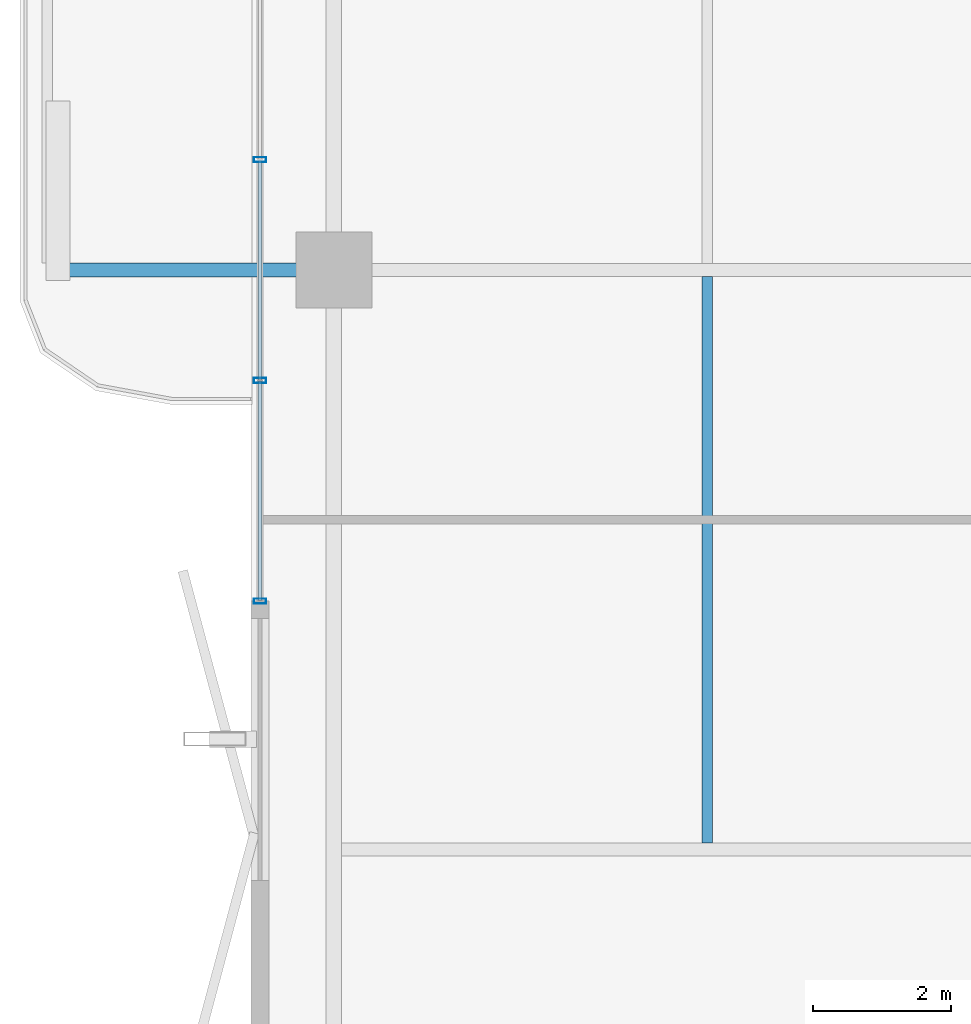
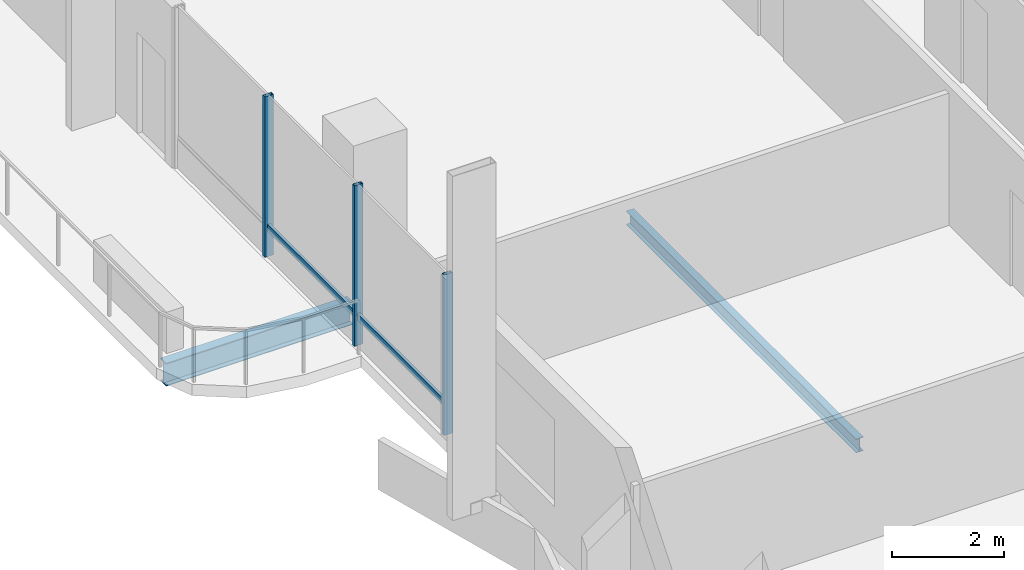
# One storey, part 4 of 24: 5 members, 2 beams, 1 element without a shape of its own.
"""IFC4 building model written with IfcOpenShell, lengths in metres."""

from ifc_helpers import new_model, si_unit, direction, frame, origin, origin_2d, place, context, subcontext, project, spatial, hollow_rectangle, i_section, extrude, material, layer, layer_set, material_profile, profile_set, type_object, element, aggregate, save


model = new_model("IFC4")

# Units and contexts
model_context = context("Model", 3, precision=1e-05, world=origin(), true_north=direction((0.0, 1.0)))
body_context = subcontext(model_context, "Body", "Model", "MODEL_VIEW")
ifc_project = project(units=[si_unit("LENGTHUNIT", "METRE"), si_unit("AREAUNIT", "SQUARE_METRE"), si_unit("VOLUMEUNIT", "CUBIC_METRE"), si_unit("PLANEANGLEUNIT", "RADIAN"), si_unit("MASSUNIT", "GRAM", prefix="KILO")], contexts=[model_context])

# Site, building, storey
site_placement = place(None, origin())
site = spatial("IfcSite", under=ifc_project, at=site_placement, CompositionType="ELEMENT")
building_placement = place(site_placement, origin())
building = spatial("IfcBuilding", under=site, at=building_placement, Name="Belovzor Exchange Tower", CompositionType="ELEMENT")
storey_placement = place(building_placement, frame((0.0, 0.0, 218.699951171875)))
storey = spatial("IfcBuildingStorey", under=building, at=storey_placement, Name="L54", CompositionType="ELEMENT", Elevation=218.699951171875)

# Beams
ifc_material_1 = material(Name="Steel S355", Category="steel")
ifc_material_profile_1 = material_profile(ifc_material_1, i_section(OverallWidth=0.199951171875, OverallDepth=0.5, WebThickness=0.01025390625, FlangeThickness=0.01611328125, at=origin_2d()))
ifc_profile_set_1 = profile_set([ifc_material_profile_1], Name="Steel S355")
beam_type_1 = type_object("IfcBeamType", Name="Planted Balcony Cantilever Beam IPE 500", PredefinedType="BEAM", material=ifc_profile_set_1)
beam_1_placement = place(storey_placement, frame((2.697021484375, 28.800048828125, -0.5), z_axis=(-1.0, 0.0, 0.0), x_axis=(0.0, -1.0, 0.0)))
element("IfcBeam", 1, at=beam_1_placement, inside=storey, type_object=beam_type_1, Name="BC-500 Planted Balcony Cantilever Beam IPE 500", PredefinedType="BEAM", context=body_context, shape_type="SweptSolid", body=[
    extrude(i_section(OverallWidth=0.199951171875, OverallDepth=0.5, WebThickness=0.01025390625, FlangeThickness=0.01611328125, at=origin_2d()), origin(), (0.0, 0.0, 1.0), 3.85009765625),
])
ifc_material_2 = material(Name="Steel S355", Category="steel")
ifc_material_profile_2 = material_profile(ifc_material_2, i_section(OverallWidth=0.14990234375, OverallDepth=0.300048828125, WebThickness=0.007080078125, FlangeThickness=0.0107421875, at=origin_2d()))
ifc_profile_set_2 = profile_set([ifc_material_profile_2], Name="Steel S355")
beam_type_2 = type_object("IfcBeamType", Name="Secondary Trim Floor Joist IPE 300", PredefinedType="BEAM", material=ifc_profile_set_2)
beam_2_placement = place(storey_placement, frame((8.4130859375, 20.4951171875, -0.39990234375), z_axis=(0.0, 1.0, 0.0), x_axis=(-1.0, 0.0, 0.0)))
element("IfcBeam", 2, at=beam_2_placement, inside=storey, type_object=beam_type_2, Name="FJ-300 Secondary Trim Floor Joist IPE 300", PredefinedType="BEAM", context=body_context, shape_type="SweptSolid", body=[
    extrude(i_section(OverallWidth=0.14990234375, OverallDepth=0.300048828125, WebThickness=0.007080078125, FlangeThickness=0.0107421875, at=origin_2d()), origin(), (0.0, 0.0, 1.0), 8.2099609375),
])

# Curtain wall, members
ifc_material_3 = material(Name="Anodised Aluminium Framing", Category="aluminium")
ifc_layer = layer(ifc_material_3, 0.179931640625)
ifc_layer_set = layer_set([ifc_layer], Name="Anodised Aluminium Framing")
curtain_wall_type = type_object("IfcCurtainWallType", Name="Recessed Loggia Low-Iron Triple-Glazed Curtain Wall", PredefinedType="NOTDEFINED", material=ifc_layer_set)
curtain_wall_placement = place(storey_placement, origin())
curtain_wall = element("IfcCurtainWall", 3, at=curtain_wall_placement, inside=storey, type_object=curtain_wall_type, Name="CW3 Recessed Loggia Low-Iron Triple-Glazed Curtain Wall L54", PredefinedType="NOTDEFINED")
ifc_material_4 = material(Name="Steel S355", Category="steel")
ifc_material_profile_3 = material_profile(ifc_material_4, hollow_rectangle(XDim=0.074951171875, YDim=0.179931640625, WallThickness=0.0048828125, at=origin_2d()))
ifc_profile_set_3 = profile_set([ifc_material_profile_3], Name="Steel S355")
member_type_1 = type_object("IfcMemberType", Name="Thermally Broken Curtain Wall Mullion 180x75", PredefinedType="MULLION", material=ifc_profile_set_3)
member_1_placement = place(storey_placement, frame((1.929931640625, 24.0, 0.0), z_axis=(0.0, 0.0, 1.0), x_axis=(0.0, 1.0, 0.0)))
member_1 = element("IfcMember", 4, at=member_1_placement, type_object=member_type_1, Name="CW-M180 Curtain Wall Mullion 1", PredefinedType="MULLION", context=body_context, shape_type="SweptSolid", body=[
    extrude(hollow_rectangle(XDim=0.074951171875, YDim=0.179931640625, WallThickness=0.0048828125, at=origin_2d()), origin(), (0.0, 0.0, 1.0), 3.5),
])
member_2_placement = place(storey_placement, frame((1.929931640625, 27.199951171875, 0.0), z_axis=(0.0, 0.0, 1.0), x_axis=(0.0, 1.0, 0.0)))
member_2 = element("IfcMember", 5, at=member_2_placement, type_object=member_type_1, Name="CW-M180 Curtain Wall Mullion 2", PredefinedType="MULLION", context=body_context, shape_type="SweptSolid", body=[
    extrude(hollow_rectangle(XDim=0.074951171875, YDim=0.179931640625, WallThickness=0.0048828125, at=origin_2d()), origin(), (0.0, 0.0, 1.0), 3.5),
])
member_3_placement = place(storey_placement, frame((1.929931640625, 30.39990234375, 0.0), z_axis=(0.0, 0.0, 1.0), x_axis=(0.0, 1.0, 0.0)))
member_3 = element("IfcMember", 6, at=member_3_placement, type_object=member_type_1, Name="CW-M180 Curtain Wall Mullion 3", PredefinedType="MULLION", context=body_context, shape_type="SweptSolid", body=[
    extrude(hollow_rectangle(XDim=0.074951171875, YDim=0.179931640625, WallThickness=0.0048828125, at=origin_2d()), origin(), (0.0, 0.0, 1.0), 3.5),
])
ifc_material_5 = material(Name="Steel S355", Category="steel")
ifc_material_profile_4 = material_profile(ifc_material_5, hollow_rectangle(XDim=0.06005859375, YDim=0.14990234375, WallThickness=0.00390625, at=origin_2d()))
ifc_profile_set_4 = profile_set([ifc_material_profile_4], Name="Steel S355")
member_type_2 = type_object("IfcMemberType", Name="Thermally Broken Curtain Wall Transom 150x60", PredefinedType="USERDEFINED", material=ifc_profile_set_4)
member_4_placement = place(storey_placement, frame((1.929931640625, 24.008056640625, 0.630126953125), z_axis=(0.0, 1.0, 0.0), x_axis=(-1.0, 0.0, 0.0)))
member_4 = element("IfcMember", 7, at=member_4_placement, type_object=member_type_2, Name="CW-T150 Curtain Wall Transom 1", ObjectType="TRANSOM", PredefinedType="USERDEFINED", context=body_context, shape_type="SweptSolid", body=[
    extrude(hollow_rectangle(XDim=0.06005859375, YDim=0.14990234375, WallThickness=0.00390625, at=origin_2d()), origin(), (0.0, 0.0, 1.0), 3.183837890625),
])
member_5_placement = place(storey_placement, frame((1.929931640625, 27.2080078125, 0.630126953125), z_axis=(0.0, 1.0, 0.0), x_axis=(-1.0, 0.0, 0.0)))
member_5 = element("IfcMember", 8, at=member_5_placement, type_object=member_type_2, Name="CW-T150 Curtain Wall Transom 2", ObjectType="TRANSOM", PredefinedType="USERDEFINED", context=body_context, shape_type="SweptSolid", body=[
    extrude(hollow_rectangle(XDim=0.06005859375, YDim=0.14990234375, WallThickness=0.00390625, at=origin_2d()), origin(), (0.0, 0.0, 1.0), 3.18408203125),
])
aggregate(curtain_wall, [member_1, member_2, member_3, member_4, member_5])

save(model, "model.ifc")
